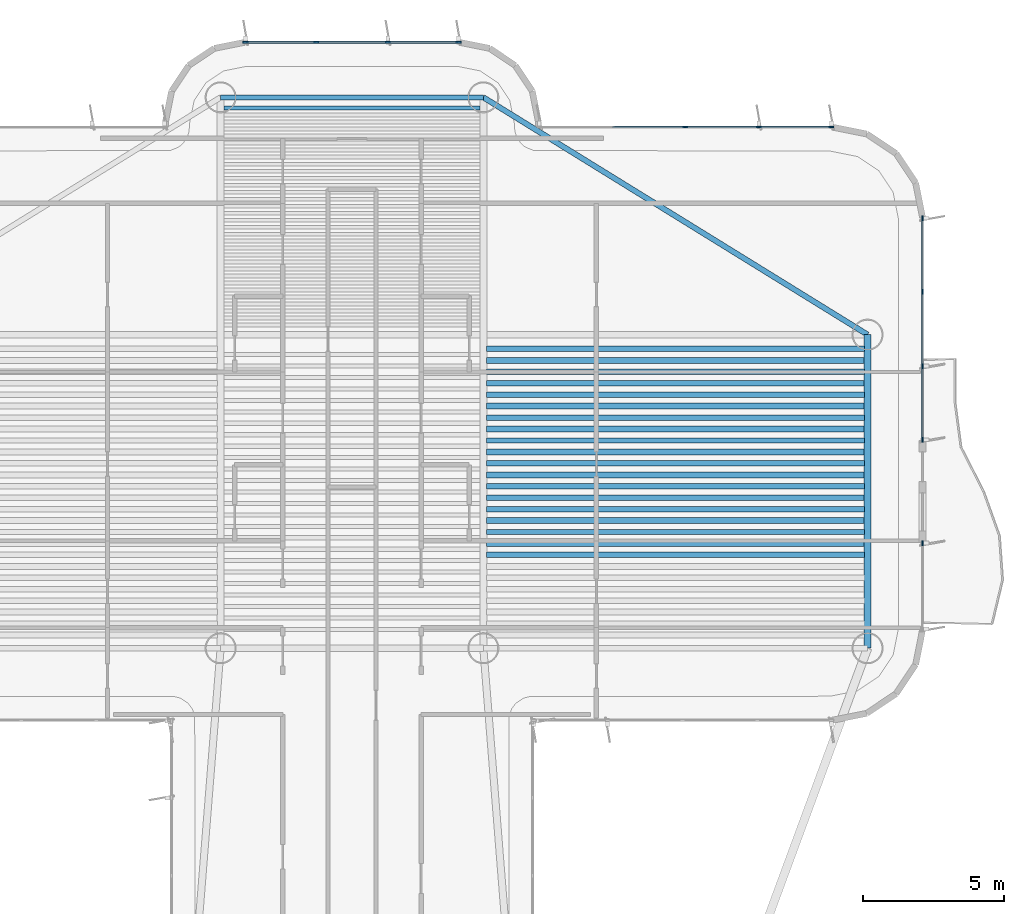
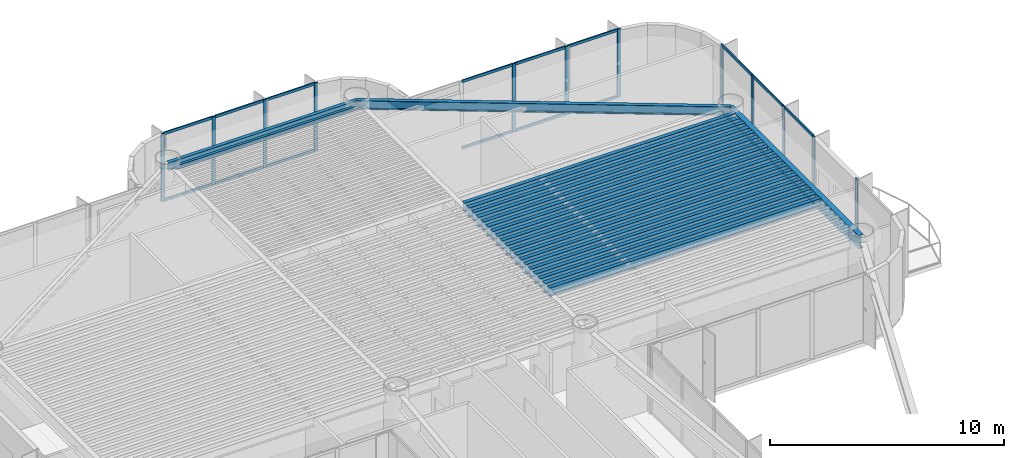
# One storey, part 7 of 15: 30 members, 23 beams, 4 elements without a shape of their own.
"""IFC4 building model written with IfcOpenShell, lengths in metres."""

from ifc_helpers import new_model, si_unit, direction, frame, origin, origin_2d, place, context, subcontext, project, spatial, rectangle, i_section, extrude, source, transform, mapped, material, layer, layer_set, material_profile, profile_set, type_object, element, aggregate, save


model = new_model("IFC4")

# Units and contexts
model_context = context("Model", 3, precision=1e-05, world=origin(), true_north=direction((0.0, 1.0)))
body_context = subcontext(model_context, "Body", "Model", "MODEL_VIEW")
ifc_project = project(units=[si_unit("LENGTHUNIT", "METRE"), si_unit("AREAUNIT", "SQUARE_METRE"), si_unit("VOLUMEUNIT", "CUBIC_METRE"), si_unit("PLANEANGLEUNIT", "RADIAN"), si_unit("MASSUNIT", "GRAM", prefix="KILO")], contexts=[model_context])

# Site, building, storey
site_placement = place(None, origin())
site = spatial("IfcSite", under=ifc_project, at=site_placement, CompositionType="ELEMENT")
building_placement = place(site_placement, origin())
building = spatial("IfcBuilding", under=site, at=building_placement, Name="Brelvock Crest Care Tower", CompositionType="ELEMENT")
storey_placement = place(building_placement, frame((0.0, 0.0, 171.5400390625)))
storey = spatial("IfcBuildingStorey", under=building, at=storey_placement, Name="L43", CompositionType="ELEMENT", Elevation=171.5400390625)

# Beams
ifc_material_1 = material(Name="Steel Grade 350", Category="steel")
ifc_material_profile_1 = material_profile(ifc_material_1, i_section(OverallWidth=0.177978515625, OverallDepth=0.406005859375, WebThickness=0.0078125, FlangeThickness=0.0126953125, FilletRadius=0.011474609375, at=origin_2d()), Name="410UB59.7")
ifc_profile_set_1 = profile_set([ifc_material_profile_1], Name="Steel Grade 350")
beam_type_1 = type_object("IfcBeamType", Name="BM-SP1", PredefinedType="SPANDREL", material=ifc_profile_set_1)
shared_shape_1 = source(origin(), body_context, "Body", "SweptSolid", [
    extrude(i_section(OverallWidth=0.177978515625, OverallDepth=0.406005859375, WebThickness=0.0078125, FlangeThickness=0.0126953125, FilletRadius=0.011474609375, at=origin_2d()), origin(), (0.0, 0.0, 1.0), 9.2998046875),
])
beam_1_placement = place(storey_placement, frame((31.35009765625, 54.449951171875, 3.326904296875), z_axis=(1.0, 0.0, 0.0), x_axis=(0.0, 1.0, 0.0)))
element("IfcBeam", 1, at=beam_1_placement, inside=storey, type_object=beam_type_1, Name="BM-TWR-L43-08", PredefinedType="SPANDREL", context=body_context, shape_type="MappedRepresentation", body=[
    mapped(shared_shape_1, transform((0.0, 0.0, 0.0), x_axis=(1.0, 0.0, 0.0), y_axis=(0.0, 1.0, 0.0), z_axis=(0.0, 0.0, 1.0), scale=1.0)),
])
ifc_material_profile_2 = material_profile(ifc_material_1, i_section(OverallWidth=0.134033203125, OverallDepth=0.20703125, WebThickness=0.00634765625, FlangeThickness=0.009521484375, FilletRadius=0.0087890625, at=origin_2d()), Name="200UB29.8")
ifc_profile_set_2 = profile_set([ifc_material_profile_2], Name="Steel Grade 350")
beam_type_2 = type_object("IfcBeamType", Name="BM-J4", PredefinedType="JOIST", material=ifc_profile_set_2)
shared_shape_2 = source(origin(), body_context, "Body", "SweptSolid", [
    extrude(i_section(OverallWidth=0.134033203125, OverallDepth=0.20703125, WebThickness=0.00634765625, FlangeThickness=0.009521484375, FilletRadius=0.0087890625, at=origin_2d()), origin(), (0.0, 0.0, 1.0), 9.06982421875),
])
beam_2_placement = place(storey_placement, frame((31.465087890625, 54.06787109375, 3.426513671875), z_axis=(1.0, 0.0, 0.0), x_axis=(0.0, 1.0, 0.0)))
element("IfcBeam", 2, at=beam_2_placement, inside=storey, type_object=beam_type_2, Name="BM-JN-L43-32", PredefinedType="JOIST", context=body_context, shape_type="MappedRepresentation", body=[
    mapped(shared_shape_2, transform((0.0, 0.0, 0.0), x_axis=(1.0, 0.0, 0.0), y_axis=(0.0, 1.0, 0.0), z_axis=(0.0, 0.0, 1.0), scale=1.0)),
])
ifc_material_profile_3 = material_profile(ifc_material_1, i_section(OverallWidth=0.208984375, OverallDepth=0.532958984375, WebThickness=0.01025390625, FlangeThickness=0.015625, FilletRadius=0.013916015625, at=origin_2d()), Name="530UB92.4")
ifc_profile_set_3 = profile_set([ifc_material_profile_3], Name="Steel Grade 350")
beam_type_3 = type_object("IfcBeamType", Name="BM-G2", PredefinedType="BEAM", material=ifc_profile_set_3)
shared_shape_3 = source(origin(), body_context, "Body", "SweptSolid", [
    extrude(i_section(OverallWidth=0.208984375, OverallDepth=0.532958984375, WebThickness=0.01025390625, FlangeThickness=0.015625, FilletRadius=0.013916015625, at=origin_2d()), origin(), (0.0, 0.0, 1.0), 13.3701171875),
])
for number, where, z_axis, x_axis, name in (
    (3, (40.764892578125, 38.657470703125, 3.263427734375), (1.0, 0.0, 0.0), (0.0, 1.0, 0.0), "BM-JE-L43-9"),
    (4, (40.764892578125, 39.4677734375, 3.263427734375), (1.0, 0.0, 0.0), (0.0, 1.0, 0.0), "BM-JE-L43-11"),
    (5, (40.764892578125, 40.278076171875, 3.263427734375), (1.0, 0.0, 0.0), (0.0, 1.0, 0.0), "BM-JE-L43-13"),
    (6, (40.764892578125, 41.08837890625, 3.263427734375), (1.0, 0.0, 0.0), (0.0, 1.0, 0.0), "BM-JE-L43-15"),
    (7, (40.764892578125, 41.898681640625, 3.263427734375), (1.0, 0.0, 0.0), (0.0, 1.0, 0.0), "BM-JE-L43-17"),
    (8, (40.764892578125, 42.708984375, 3.263427734375), (1.0, 0.0, 0.0), (0.0, 1.0, 0.0), "BM-JE-L43-19"),
    (9, (40.764892578125, 43.519287109375, 3.263427734375), (1.0, 0.0, 0.0), (0.0, 1.0, 0.0), "BM-JE-L43-21"),
    (10, (40.764892578125, 44.32958984375, 3.263427734375), (1.0, 0.0, 0.0), (0.0, 1.0, 0.0), "BM-JE-L43-23"),
    (11, (40.764892578125, 45.139892578125, 3.263427734375), (1.0, 0.0, 0.0), (0.0, 1.0, 0.0), "BM-JE-L43-25"),
):
    element("IfcBeam", number, at=place(storey_placement, frame(where, z_axis=z_axis, x_axis=x_axis)), inside=storey, type_object=beam_type_3, Name=name, PredefinedType="BEAM", context=body_context, shape_type="MappedRepresentation", body=[
        mapped(shared_shape_3, transform((0.0, 0.0, 0.0), x_axis=(1.0, 0.0, 0.0), y_axis=(0.0, 1.0, 0.0), z_axis=(0.0, 0.0, 1.0), scale=1.0)),
    ])
ifc_material_profile_4 = material_profile(ifc_material_1, i_section(OverallWidth=0.19091796875, OverallDepth=0.4599609375, WebThickness=0.010009765625, FlangeThickness=0.01611328125, FilletRadius=0.011474609375, at=origin_2d()), Name="460UB82.1")
ifc_profile_set_4 = profile_set([ifc_material_profile_4], Name="Steel Grade 350")
beam_type_4 = type_object("IfcBeamType", Name="BM-G3", PredefinedType="BEAM", material=ifc_profile_set_4)
shared_shape_4 = source(origin(), body_context, "Body", "SweptSolid", [
    extrude(i_section(OverallWidth=0.19091796875, OverallDepth=0.4599609375, WebThickness=0.010009765625, FlangeThickness=0.01611328125, FilletRadius=0.011474609375, at=origin_2d()), origin(), (0.0, 0.0, 1.0), 13.3701171875),
])
for number, where, z_axis, x_axis, name in (
    (12, (40.764892578125, 38.252197265625, 3.300048828125), (1.0, 0.0, 0.0), (0.0, 1.0, 0.0), "BM-JE-L43-8"),
    (13, (40.764892578125, 39.0625, 3.300048828125), (1.0, 0.0, 0.0), (0.0, 1.0, 0.0), "BM-JE-L43-10"),
    (14, (40.764892578125, 39.872802734375, 3.300048828125), (1.0, 0.0, 0.0), (0.0, 1.0, 0.0), "BM-JE-L43-12"),
    (15, (40.764892578125, 40.68310546875, 3.300048828125), (1.0, 0.0, 0.0), (0.0, 1.0, 0.0), "BM-JE-L43-14"),
    (16, (40.764892578125, 41.493408203125, 3.300048828125), (1.0, 0.0, 0.0), (0.0, 1.0, 0.0), "BM-JE-L43-16"),
    (17, (40.764892578125, 42.3037109375, 3.300048828125), (1.0, 0.0, 0.0), (0.0, 1.0, 0.0), "BM-JE-L43-18"),
    (18, (40.764892578125, 43.114013671875, 3.300048828125), (1.0, 0.0, 0.0), (0.0, 1.0, 0.0), "BM-JE-L43-20"),
    (19, (40.764892578125, 43.92431640625, 3.300048828125), (1.0, 0.0, 0.0), (0.0, 1.0, 0.0), "BM-JE-L43-22"),
    (20, (40.764892578125, 44.734619140625, 3.300048828125), (1.0, 0.0, 0.0), (0.0, 1.0, 0.0), "BM-JE-L43-24"),
    (21, (40.764892578125, 45.544921875, 3.300048828125), (1.0, 0.0, 0.0), (0.0, 1.0, 0.0), "BM-JE-L43-26"),
):
    element("IfcBeam", number, at=place(storey_placement, frame(where, z_axis=z_axis, x_axis=x_axis)), inside=storey, type_object=beam_type_4, Name=name, PredefinedType="BEAM", context=body_context, shape_type="MappedRepresentation", body=[
        mapped(shared_shape_4, transform((0.0, 0.0, 0.0), x_axis=(1.0, 0.0, 0.0), y_axis=(0.0, 1.0, 0.0), z_axis=(0.0, 0.0, 1.0), scale=1.0)),
    ])
ifc_material_profile_5 = material_profile(ifc_material_1, i_section(OverallWidth=0.25, OverallDepth=0.699951171875, WebThickness=0.011962890625, FlangeThickness=0.02001953125, at=origin_2d()), Name="700WB150")
ifc_profile_set_5 = profile_set([ifc_material_profile_5], Name="Steel Grade 350")
beam_type_5 = type_object("IfcBeamType", Name="BM-G4", PredefinedType="BEAM", material=ifc_profile_set_5)
shared_shape_5 = source(origin(), body_context, "Body", "SweptSolid", [
    extrude(i_section(OverallWidth=0.25, OverallDepth=0.699951171875, WebThickness=0.011962890625, FlangeThickness=0.02001953125, at=origin_2d()), origin(), (0.0, 0.0, 1.0), 11.10009765625),
])
beam_3_placement = place(storey_placement, frame((54.25, 34.949951171875, 3.179931640625), z_axis=(0.0, 1.0, 0.0), x_axis=(-1.0, 0.0, 0.0)))
element("IfcBeam", 22, at=beam_3_placement, inside=storey, type_object=beam_type_5, Name="BM-TWR-L43-02", PredefinedType="BEAM", context=body_context, shape_type="MappedRepresentation", body=[
    mapped(shared_shape_5, transform((0.0, 0.0, 0.0), x_axis=(1.0, 0.0, 0.0), y_axis=(0.0, 1.0, 0.0), z_axis=(0.0, 0.0, 1.0), scale=1.0)),
])
ifc_material_profile_6 = material_profile(ifc_material_1, i_section(OverallWidth=0.19091796875, OverallDepth=0.4599609375, WebThickness=0.010009765625, FlangeThickness=0.01611328125, FilletRadius=0.011474609375, at=origin_2d()), Name="460UB82.1")
ifc_profile_set_6 = profile_set([ifc_material_profile_6], Name="Steel Grade 350")
beam_type_6 = type_object("IfcBeamType", Name="BM-SP2", PredefinedType="SPANDREL", material=ifc_profile_set_6)
shared_shape_6 = source(origin(), body_context, "Body", "SweptSolid", [
    extrude(i_section(OverallWidth=0.19091796875, OverallDepth=0.4599609375, WebThickness=0.010009765625, FlangeThickness=0.01611328125, FilletRadius=0.011474609375, at=origin_2d()), origin(), (0.0, 0.0, 1.0), 15.985107421875),
])
beam_4_placement = place(storey_placement, frame((40.64990234375, 54.449951171875, 3.300048828125), z_axis=(0.850802415717, -0.525485727124, 0.0), x_axis=(0.525485727124, 0.850802415717, 0.0)))
element("IfcBeam", 23, at=beam_4_placement, inside=storey, type_object=beam_type_6, Name="BM-TWR-L43-07", PredefinedType="SPANDREL", context=body_context, shape_type="MappedRepresentation", body=[
    mapped(shared_shape_6, transform((0.0, 0.0, 0.0), x_axis=(1.0, 0.0, 0.0), y_axis=(0.0, 1.0, 0.0), z_axis=(0.0, 0.0, 1.0), scale=1.0)),
])

# Curtain wall, members
ifc_material_2 = material(Name="Dark Glass Double Glazed Low-E", Category="glass")
ifc_layer = layer(ifc_material_2, 0.22509765625, Name="CWS-4")
ifc_layer_set = layer_set([ifc_layer], Name="Dark Glass Double Glazed Low-E")
curtain_wall_type = type_object("IfcCurtainWallType", Name="CWS-4", PredefinedType="NOTDEFINED", material=ifc_layer_set)
curtain_wall_1_placement = place(storey_placement, origin())
curtain_wall_1 = element("IfcCurtainWall", 24, at=curtain_wall_1_placement, inside=storey, type_object=curtain_wall_type, Name="L43 Curtain Wall E28", PredefinedType="NOTDEFINED")
ifc_material_3 = material(Name="Aluminium 6063-T6", Category="aluminium")
ifc_material_profile_7 = material_profile(ifc_material_3, rectangle(XDim=0.06005859375, YDim=0.179931640625, at=origin_2d()), Name="ALU60x180")
ifc_profile_set_7 = profile_set([ifc_material_profile_7], Name="Aluminium 6063-T6")
member_type_1 = type_object("IfcMemberType", Name="CWM-2", PredefinedType="MULLION", material=ifc_profile_set_7)
shared_shape_7 = source(origin(), body_context, "Body", "SweptSolid", [
    extrude(rectangle(XDim=0.06005859375, YDim=0.179931640625, at=origin_2d()), origin(), (0.0, 0.0, 1.0), 3.530029296875),
])
member_1_placement = place(storey_placement, frame((32.22998046875, 56.39990234375, 0.0), z_axis=(0.0, 0.0, 1.0), x_axis=(0.0, 1.0, 0.0)))
member_1 = element("IfcMember", 25, at=member_1_placement, type_object=member_type_1, Name="CW-4 mullion 1", PredefinedType="MULLION", context=body_context, shape_type="MappedRepresentation", body=[
    mapped(shared_shape_7, transform((0.0, 0.0, 0.0), x_axis=(1.0, 0.0, 0.0), y_axis=(0.0, 1.0, 0.0), z_axis=(0.0, 0.0, 1.0), scale=1.0)),
])
member_2_placement = place(storey_placement, frame((34.7333984375, 56.39990234375, 0.0), z_axis=(0.0, 0.0, 1.0), x_axis=(0.0, 1.0, 0.0)))
member_2 = element("IfcMember", 26, at=member_2_placement, type_object=member_type_1, Name="CW-4 mullion 2", PredefinedType="MULLION", context=body_context, shape_type="MappedRepresentation", body=[
    mapped(shared_shape_7, transform((0.0, 0.0, 0.0), x_axis=(1.0, 0.0, 0.0), y_axis=(0.0, 1.0, 0.0), z_axis=(0.0, 0.0, 1.0), scale=1.0)),
])
member_3_placement = place(storey_placement, frame((37.2666015625, 56.39990234375, 0.0), z_axis=(0.0, 0.0, 1.0), x_axis=(0.0, 1.0, 0.0)))
member_3 = element("IfcMember", 27, at=member_3_placement, type_object=member_type_1, Name="CW-4 mullion 3", PredefinedType="MULLION", context=body_context, shape_type="MappedRepresentation", body=[
    mapped(shared_shape_7, transform((0.0, 0.0, 0.0), x_axis=(1.0, 0.0, 0.0), y_axis=(0.0, 1.0, 0.0), z_axis=(0.0, 0.0, 1.0), scale=1.0)),
])
member_4_placement = place(storey_placement, frame((39.77001953125, 56.39990234375, 0.0), z_axis=(0.0, 0.0, 1.0), x_axis=(0.0, 1.0, 0.0)))
member_4 = element("IfcMember", 28, at=member_4_placement, type_object=member_type_1, Name="CW-4 mullion 4", PredefinedType="MULLION", context=body_context, shape_type="MappedRepresentation", body=[
    mapped(shared_shape_7, transform((0.0, 0.0, 0.0), x_axis=(1.0, 0.0, 0.0), y_axis=(0.0, 1.0, 0.0), z_axis=(0.0, 0.0, 1.0), scale=1.0)),
])

curtain_wall_2_placement = place(storey_placement, origin())
curtain_wall_2 = element("IfcCurtainWall", 29, at=curtain_wall_2_placement, inside=storey, type_object=curtain_wall_type, Name="L43 Curtain Wall E34", PredefinedType="NOTDEFINED")
member_5_placement = place(storey_placement, frame((47.800048828125, 53.39990234375, 0.0), z_axis=(0.0, 0.0, 1.0), x_axis=(0.0, 1.0, 0.0)))
member_5 = element("IfcMember", 30, at=member_5_placement, type_object=member_type_1, Name="CW-4 mullion 3", PredefinedType="MULLION", context=body_context, shape_type="MappedRepresentation", body=[
    mapped(shared_shape_7, transform((0.0, 0.0, 0.0), x_axis=(1.0, 0.0, 0.0), y_axis=(0.0, 1.0, 0.0), z_axis=(0.0, 0.0, 1.0), scale=1.0)),
])
member_6_placement = place(storey_placement, frame((50.39990234375, 53.39990234375, 0.0), z_axis=(0.0, 0.0, 1.0), x_axis=(0.0, 1.0, 0.0)))
member_6 = element("IfcMember", 31, at=member_6_placement, type_object=member_type_1, Name="CW-4 mullion 4", PredefinedType="MULLION", context=body_context, shape_type="MappedRepresentation", body=[
    mapped(shared_shape_7, transform((0.0, 0.0, 0.0), x_axis=(1.0, 0.0, 0.0), y_axis=(0.0, 1.0, 0.0), z_axis=(0.0, 0.0, 1.0), scale=1.0)),
])
member_7_placement = place(storey_placement, frame((52.969970703125, 53.39990234375, 0.0), z_axis=(0.0, 0.0, 1.0), x_axis=(0.0, 1.0, 0.0)))
member_7 = element("IfcMember", 32, at=member_7_placement, type_object=member_type_1, Name="CW-4 mullion 5", PredefinedType="MULLION", context=body_context, shape_type="MappedRepresentation", body=[
    mapped(shared_shape_7, transform((0.0, 0.0, 0.0), x_axis=(1.0, 0.0, 0.0), y_axis=(0.0, 1.0, 0.0), z_axis=(0.0, 0.0, 1.0), scale=1.0)),
])

curtain_wall_3_placement = place(storey_placement, origin())
curtain_wall_3 = element("IfcCurtainWall", 33, at=curtain_wall_3_placement, inside=storey, type_object=curtain_wall_type, Name="L43 Curtain Wall E39A", PredefinedType="NOTDEFINED")
member_8_placement = place(storey_placement, frame((56.199951171875, 50.169921875, 0.0), z_axis=(0.0, 0.0, 1.0), x_axis=(1.0, 0.0, 0.0)))
member_8 = element("IfcMember", 34, at=member_8_placement, type_object=member_type_1, Name="CW-4 mullion 1", PredefinedType="MULLION", context=body_context, shape_type="MappedRepresentation", body=[
    mapped(shared_shape_7, transform((0.0, 0.0, 0.0), x_axis=(1.0, 0.0, 0.0), y_axis=(0.0, 1.0, 0.0), z_axis=(0.0, 0.0, 1.0), scale=1.0)),
])
member_9_placement = place(storey_placement, frame((56.199951171875, 47.566650390625, 0.0), z_axis=(0.0, 0.0, 1.0), x_axis=(1.0, 0.0, 0.0)))
member_9 = element("IfcMember", 35, at=member_9_placement, type_object=member_type_1, Name="CW-4 mullion 2", PredefinedType="MULLION", context=body_context, shape_type="MappedRepresentation", body=[
    mapped(shared_shape_7, transform((0.0, 0.0, 0.0), x_axis=(1.0, 0.0, 0.0), y_axis=(0.0, 1.0, 0.0), z_axis=(0.0, 0.0, 1.0), scale=1.0)),
])
member_10_placement = place(storey_placement, frame((56.199951171875, 44.933349609375, 0.0), z_axis=(0.0, 0.0, 1.0), x_axis=(1.0, 0.0, 0.0)))
member_10 = element("IfcMember", 36, at=member_10_placement, type_object=member_type_1, Name="CW-4 mullion 3", PredefinedType="MULLION", context=body_context, shape_type="MappedRepresentation", body=[
    mapped(shared_shape_7, transform((0.0, 0.0, 0.0), x_axis=(1.0, 0.0, 0.0), y_axis=(0.0, 1.0, 0.0), z_axis=(0.0, 0.0, 1.0), scale=1.0)),
])
member_11_placement = place(storey_placement, frame((56.199951171875, 42.330078125, 0.0), z_axis=(0.0, 0.0, 1.0), x_axis=(1.0, 0.0, 0.0)))
member_11 = element("IfcMember", 37, at=member_11_placement, type_object=member_type_1, Name="CW-4 mullion 4", PredefinedType="MULLION", context=body_context, shape_type="MappedRepresentation", body=[
    mapped(shared_shape_7, transform((0.0, 0.0, 0.0), x_axis=(1.0, 0.0, 0.0), y_axis=(0.0, 1.0, 0.0), z_axis=(0.0, 0.0, 1.0), scale=1.0)),
])

# Curtain wall, member
curtain_wall_4_placement = place(storey_placement, origin())
curtain_wall_4 = element("IfcCurtainWall", 38, at=curtain_wall_4_placement, inside=storey, type_object=curtain_wall_type, Name="L43 Curtain Wall E39B", PredefinedType="NOTDEFINED")
member_12_placement = place(storey_placement, frame((56.199951171875, 38.669921875, 0.0), z_axis=(0.0, 0.0, 1.0), x_axis=(1.0, 0.0, 0.0)))
member_12 = element("IfcMember", 39, at=member_12_placement, type_object=member_type_1, Name="CW-4 mullion 1", PredefinedType="MULLION", context=body_context, shape_type="MappedRepresentation", body=[
    mapped(shared_shape_7, transform((0.0, 0.0, 0.0), x_axis=(1.0, 0.0, 0.0), y_axis=(0.0, 1.0, 0.0), z_axis=(0.0, 0.0, 1.0), scale=1.0)),
])
aggregate(curtain_wall_4, [member_12])

# Member
ifc_material_profile_8 = material_profile(ifc_material_3, rectangle(XDim=0.06005859375, YDim=0.139892578125, at=origin_2d()), Name="ALU60x140")
ifc_profile_set_8 = profile_set([ifc_material_profile_8], Name="Aluminium 6063-T6")
member_type_2 = type_object("IfcMemberType", Name="CWT-2", PredefinedType="USERDEFINED", material=ifc_profile_set_8)
shared_shape_8 = source(origin(), body_context, "Body", "SweptSolid", [
    extrude(rectangle(XDim=0.06005859375, YDim=0.139892578125, at=origin_2d()), origin(), (0.0, 0.0, 1.0), 2.443359375),
])
member_13_placement = place(storey_placement, frame((32.260009765625, 56.39990234375, 0.030029296875), z_axis=(1.0, 0.0, 0.0), x_axis=(0.0, 1.0, 0.0)))
member_13 = element("IfcMember", 40, at=member_13_placement, type_object=member_type_2, Name="CW-4 transom 1.1", ObjectType="TRANSOM", PredefinedType="USERDEFINED", context=body_context, shape_type="MappedRepresentation", body=[
    mapped(shared_shape_8, transform((0.0, 0.0, 0.0), x_axis=(1.0, 0.0, 0.0), y_axis=(0.0, 1.0, 0.0), z_axis=(0.0, 0.0, 1.0), scale=1.0)),
])

member_14_placement = place(storey_placement, frame((32.260009765625, 56.39990234375, 3.5), z_axis=(1.0, 0.0, 0.0), x_axis=(0.0, 1.0, 0.0)))
member_14 = element("IfcMember", 41, at=member_14_placement, type_object=member_type_2, Name="CW-4 transom 1.2", ObjectType="TRANSOM", PredefinedType="USERDEFINED", context=body_context, shape_type="MappedRepresentation", body=[
    mapped(shared_shape_8, transform((0.0, 0.0, 0.0), x_axis=(1.0, 0.0, 0.0), y_axis=(0.0, 1.0, 0.0), z_axis=(0.0, 0.0, 1.0), scale=1.0)),
])

member_15_placement = place(storey_placement, frame((37.296630859375, 56.39990234375, 0.030029296875), z_axis=(1.0, 0.0, 0.0), x_axis=(0.0, 1.0, 0.0)))
member_15 = element("IfcMember", 42, at=member_15_placement, type_object=member_type_2, Name="CW-4 transom 3.1", ObjectType="TRANSOM", PredefinedType="USERDEFINED", context=body_context, shape_type="MappedRepresentation", body=[
    mapped(shared_shape_8, transform((0.0, 0.0, 0.0), x_axis=(1.0, 0.0, 0.0), y_axis=(0.0, 1.0, 0.0), z_axis=(0.0, 0.0, 1.0), scale=1.0)),
])

member_16_placement = place(storey_placement, frame((37.296630859375, 56.39990234375, 3.5), z_axis=(1.0, 0.0, 0.0), x_axis=(0.0, 1.0, 0.0)))
member_16 = element("IfcMember", 43, at=member_16_placement, type_object=member_type_2, Name="CW-4 transom 3.2", ObjectType="TRANSOM", PredefinedType="USERDEFINED", context=body_context, shape_type="MappedRepresentation", body=[
    mapped(shared_shape_8, transform((0.0, 0.0, 0.0), x_axis=(1.0, 0.0, 0.0), y_axis=(0.0, 1.0, 0.0), z_axis=(0.0, 0.0, 1.0), scale=1.0)),
])

shared_shape_9 = source(origin(), body_context, "Body", "SweptSolid", [
    extrude(rectangle(XDim=0.06005859375, YDim=0.139892578125, at=origin_2d()), origin(), (0.0, 0.0, 1.0), 2.47314453125),
])
member_17_placement = place(storey_placement, frame((34.763427734375, 56.39990234375, 0.030029296875), z_axis=(1.0, 0.0, 0.0), x_axis=(0.0, 1.0, 0.0)))
member_17 = element("IfcMember", 44, at=member_17_placement, type_object=member_type_2, Name="CW-4 transom 2.1", ObjectType="TRANSOM", PredefinedType="USERDEFINED", context=body_context, shape_type="MappedRepresentation", body=[
    mapped(shared_shape_9, transform((0.0, 0.0, 0.0), x_axis=(1.0, 0.0, 0.0), y_axis=(0.0, 1.0, 0.0), z_axis=(0.0, 0.0, 1.0), scale=1.0)),
])

member_18_placement = place(storey_placement, frame((34.763427734375, 56.39990234375, 3.5), z_axis=(1.0, 0.0, 0.0), x_axis=(0.0, 1.0, 0.0)))
member_18 = element("IfcMember", 45, at=member_18_placement, type_object=member_type_2, Name="CW-4 transom 2.2", ObjectType="TRANSOM", PredefinedType="USERDEFINED", context=body_context, shape_type="MappedRepresentation", body=[
    mapped(shared_shape_9, transform((0.0, 0.0, 0.0), x_axis=(1.0, 0.0, 0.0), y_axis=(0.0, 1.0, 0.0), z_axis=(0.0, 0.0, 1.0), scale=1.0)),
])

aggregate(curtain_wall_1, [member_1, member_2, member_3, member_4, member_13, member_14, member_17, member_18, member_15, member_16])

shared_shape_10 = source(origin(), body_context, "Body", "SweptSolid", [
    extrude(rectangle(XDim=0.06005859375, YDim=0.139892578125, at=origin_2d()), origin(), (0.0, 0.0, 1.0), 2.510009765625),
])
member_19_placement = place(storey_placement, frame((50.429931640625, 53.39990234375, 0.030029296875), z_axis=(1.0, 0.0, 0.0), x_axis=(0.0, 1.0, 0.0)))
member_19 = element("IfcMember", 46, at=member_19_placement, type_object=member_type_2, Name="CW-4 transom 4.1", ObjectType="TRANSOM", PredefinedType="USERDEFINED", context=body_context, shape_type="MappedRepresentation", body=[
    mapped(shared_shape_10, transform((0.0, 0.0, 0.0), x_axis=(1.0, 0.0, 0.0), y_axis=(0.0, 1.0, 0.0), z_axis=(0.0, 0.0, 1.0), scale=1.0)),
])

member_20_placement = place(storey_placement, frame((50.429931640625, 53.39990234375, 3.5), z_axis=(1.0, 0.0, 0.0), x_axis=(0.0, 1.0, 0.0)))
member_20 = element("IfcMember", 47, at=member_20_placement, type_object=member_type_2, Name="CW-4 transom 4.2", ObjectType="TRANSOM", PredefinedType="USERDEFINED", context=body_context, shape_type="MappedRepresentation", body=[
    mapped(shared_shape_10, transform((0.0, 0.0, 0.0), x_axis=(1.0, 0.0, 0.0), y_axis=(0.0, 1.0, 0.0), z_axis=(0.0, 0.0, 1.0), scale=1.0)),
])

shared_shape_11 = source(origin(), body_context, "Body", "SweptSolid", [
    extrude(rectangle(XDim=0.06005859375, YDim=0.139892578125, at=origin_2d()), origin(), (0.0, 0.0, 1.0), 2.5400390625),
])
member_21_placement = place(storey_placement, frame((45.22998046875, 53.39990234375, 0.030029296875), z_axis=(1.0, 0.0, 0.0), x_axis=(0.0, 1.0, 0.0)))
member_21 = element("IfcMember", 48, at=member_21_placement, type_object=member_type_2, Name="CW-4 transom 2.1", ObjectType="TRANSOM", PredefinedType="USERDEFINED", context=body_context, shape_type="MappedRepresentation", body=[
    mapped(shared_shape_11, transform((0.0, 0.0, 0.0), x_axis=(1.0, 0.0, 0.0), y_axis=(0.0, 1.0, 0.0), z_axis=(0.0, 0.0, 1.0), scale=1.0)),
])

member_22_placement = place(storey_placement, frame((45.22998046875, 53.39990234375, 3.5), z_axis=(1.0, 0.0, 0.0), x_axis=(0.0, 1.0, 0.0)))
member_22 = element("IfcMember", 49, at=member_22_placement, type_object=member_type_2, Name="CW-4 transom 2.2", ObjectType="TRANSOM", PredefinedType="USERDEFINED", context=body_context, shape_type="MappedRepresentation", body=[
    mapped(shared_shape_11, transform((0.0, 0.0, 0.0), x_axis=(1.0, 0.0, 0.0), y_axis=(0.0, 1.0, 0.0), z_axis=(0.0, 0.0, 1.0), scale=1.0)),
])

member_23_placement = place(storey_placement, frame((47.830078125, 53.39990234375, 0.030029296875), z_axis=(1.0, 0.0, 0.0), x_axis=(0.0, 1.0, 0.0)))
member_23 = element("IfcMember", 50, at=member_23_placement, type_object=member_type_2, Name="CW-4 transom 3.1", ObjectType="TRANSOM", PredefinedType="USERDEFINED", context=body_context, shape_type="MappedRepresentation", body=[
    mapped(shared_shape_11, transform((0.0, 0.0, 0.0), x_axis=(1.0, 0.0, 0.0), y_axis=(0.0, 1.0, 0.0), z_axis=(0.0, 0.0, 1.0), scale=1.0)),
])

member_24_placement = place(storey_placement, frame((47.830078125, 53.39990234375, 3.5), z_axis=(1.0, 0.0, 0.0), x_axis=(0.0, 1.0, 0.0)))
member_24 = element("IfcMember", 51, at=member_24_placement, type_object=member_type_2, Name="CW-4 transom 3.2", ObjectType="TRANSOM", PredefinedType="USERDEFINED", context=body_context, shape_type="MappedRepresentation", body=[
    mapped(shared_shape_11, transform((0.0, 0.0, 0.0), x_axis=(1.0, 0.0, 0.0), y_axis=(0.0, 1.0, 0.0), z_axis=(0.0, 0.0, 1.0), scale=1.0)),
])

aggregate(curtain_wall_2, [member_5, member_6, member_7, member_21, member_22, member_23, member_24, member_19, member_20])

shared_shape_12 = source(origin(), body_context, "Body", "SweptSolid", [
    extrude(rectangle(XDim=0.06005859375, YDim=0.139892578125, at=origin_2d()), origin(), (0.0, 0.0, 1.0), 2.543212890625),
])
member_25_placement = place(storey_placement, frame((56.199951171875, 50.139892578125, 0.030029296875), z_axis=(0.0, -1.0, 0.0), x_axis=(1.0, 0.0, 0.0)))
member_25 = element("IfcMember", 52, at=member_25_placement, type_object=member_type_2, Name="CW-4 transom 1.1", ObjectType="TRANSOM", PredefinedType="USERDEFINED", context=body_context, shape_type="MappedRepresentation", body=[
    mapped(shared_shape_12, transform((0.0, 0.0, 0.0), x_axis=(1.0, 0.0, 0.0), y_axis=(0.0, 1.0, 0.0), z_axis=(0.0, 0.0, 1.0), scale=1.0)),
])

member_26_placement = place(storey_placement, frame((56.199951171875, 50.139892578125, 3.5), z_axis=(0.0, -1.0, 0.0), x_axis=(1.0, 0.0, 0.0)))
member_26 = element("IfcMember", 53, at=member_26_placement, type_object=member_type_2, Name="CW-4 transom 1.2", ObjectType="TRANSOM", PredefinedType="USERDEFINED", context=body_context, shape_type="MappedRepresentation", body=[
    mapped(shared_shape_12, transform((0.0, 0.0, 0.0), x_axis=(1.0, 0.0, 0.0), y_axis=(0.0, 1.0, 0.0), z_axis=(0.0, 0.0, 1.0), scale=1.0)),
])

member_27_placement = place(storey_placement, frame((56.199951171875, 44.9033203125, 0.030029296875), z_axis=(0.0, -1.0, 0.0), x_axis=(1.0, 0.0, 0.0)))
member_27 = element("IfcMember", 54, at=member_27_placement, type_object=member_type_2, Name="CW-4 transom 3.1", ObjectType="TRANSOM", PredefinedType="USERDEFINED", context=body_context, shape_type="MappedRepresentation", body=[
    mapped(shared_shape_12, transform((0.0, 0.0, 0.0), x_axis=(1.0, 0.0, 0.0), y_axis=(0.0, 1.0, 0.0), z_axis=(0.0, 0.0, 1.0), scale=1.0)),
])

member_28_placement = place(storey_placement, frame((56.199951171875, 44.9033203125, 3.5), z_axis=(0.0, -1.0, 0.0), x_axis=(1.0, 0.0, 0.0)))
member_28 = element("IfcMember", 55, at=member_28_placement, type_object=member_type_2, Name="CW-4 transom 3.2", ObjectType="TRANSOM", PredefinedType="USERDEFINED", context=body_context, shape_type="MappedRepresentation", body=[
    mapped(shared_shape_12, transform((0.0, 0.0, 0.0), x_axis=(1.0, 0.0, 0.0), y_axis=(0.0, 1.0, 0.0), z_axis=(0.0, 0.0, 1.0), scale=1.0)),
])

shared_shape_13 = source(origin(), body_context, "Body", "SweptSolid", [
    extrude(rectangle(XDim=0.06005859375, YDim=0.139892578125, at=origin_2d()), origin(), (0.0, 0.0, 1.0), 2.5732421875),
])
member_29_placement = place(storey_placement, frame((56.199951171875, 47.53662109375, 0.030029296875), z_axis=(0.0, -1.0, 0.0), x_axis=(1.0, 0.0, 0.0)))
member_29 = element("IfcMember", 56, at=member_29_placement, type_object=member_type_2, Name="CW-4 transom 2.1", ObjectType="TRANSOM", PredefinedType="USERDEFINED", context=body_context, shape_type="MappedRepresentation", body=[
    mapped(shared_shape_13, transform((0.0, 0.0, 0.0), x_axis=(1.0, 0.0, 0.0), y_axis=(0.0, 1.0, 0.0), z_axis=(0.0, 0.0, 1.0), scale=1.0)),
])

member_30_placement = place(storey_placement, frame((56.199951171875, 47.53662109375, 3.5), z_axis=(0.0, -1.0, 0.0), x_axis=(1.0, 0.0, 0.0)))
member_30 = element("IfcMember", 57, at=member_30_placement, type_object=member_type_2, Name="CW-4 transom 2.2", ObjectType="TRANSOM", PredefinedType="USERDEFINED", context=body_context, shape_type="MappedRepresentation", body=[
    mapped(shared_shape_13, transform((0.0, 0.0, 0.0), x_axis=(1.0, 0.0, 0.0), y_axis=(0.0, 1.0, 0.0), z_axis=(0.0, 0.0, 1.0), scale=1.0)),
])

aggregate(curtain_wall_3, [member_8, member_9, member_10, member_11, member_25, member_26, member_29, member_30, member_27, member_28])

save(model, "model.ifc")
